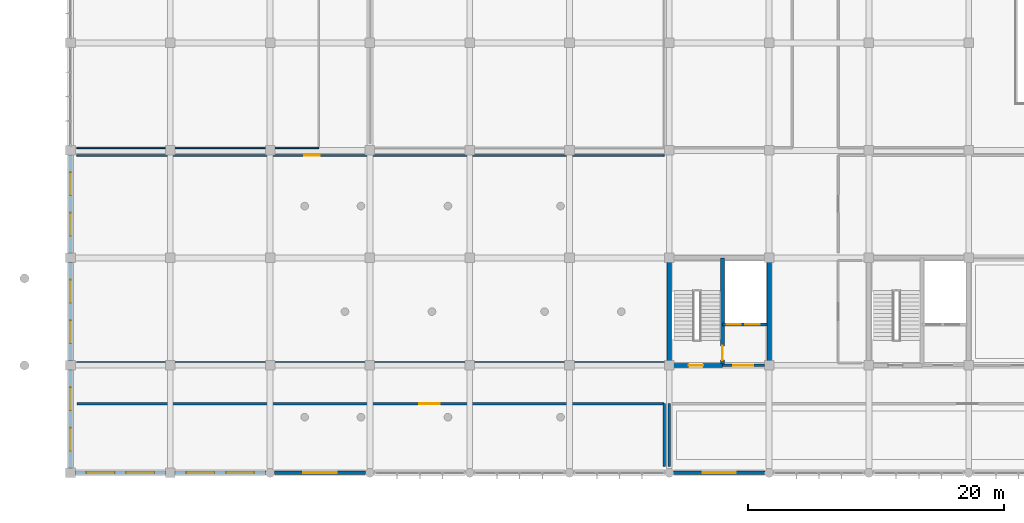
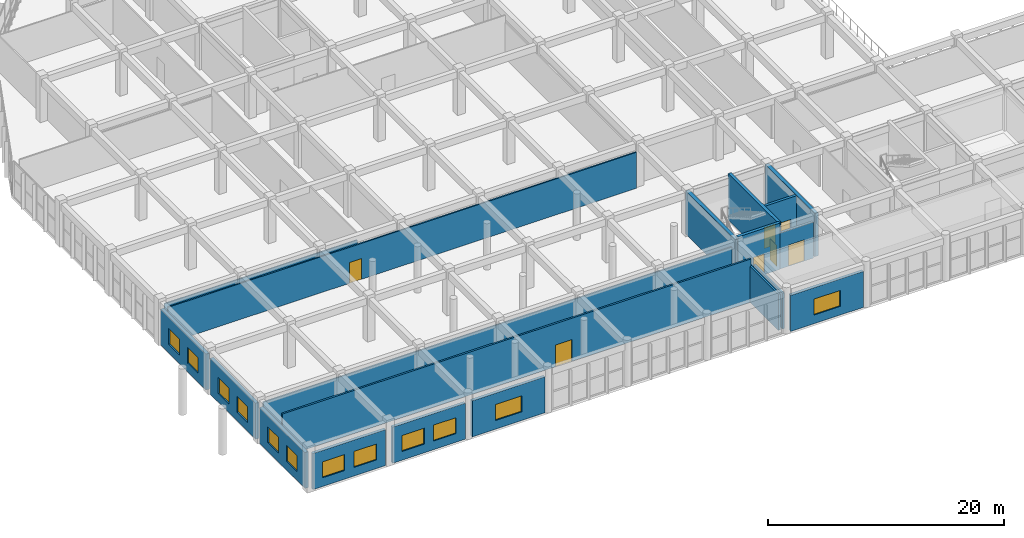
# One storey, part 150 of 167: 19 walls, 12 windows, 7 doors, 19 openings.
"""IFC4 building model written with IfcOpenShell, lengths in metres."""

from ifc_helpers import new_model, si_unit, direction, frame, frame_2d, origin, place, context, subcontext, project, spatial, rectangle, extrude, material, layer, layer_set, type_object, element, fill, save


model = new_model("IFC4")

# Units and contexts
model_context = context("Model", 3, precision=1e-05, world=origin(), true_north=direction((0.0, 1.0)))
body_context = subcontext(model_context, "Body", "Model", "MODEL_VIEW")
ifc_project = project(units=[si_unit("LENGTHUNIT", "METRE"), si_unit("AREAUNIT", "SQUARE_METRE"), si_unit("VOLUMEUNIT", "CUBIC_METRE"), si_unit("PLANEANGLEUNIT", "RADIAN"), si_unit("MASSUNIT", "GRAM", prefix="KILO")], contexts=[model_context])

# Site, building, storey
site_placement = place(None, origin())
site = spatial("IfcSite", under=ifc_project, at=site_placement, CompositionType="ELEMENT")
building_placement = place(site_placement, origin())
building = spatial("IfcBuilding", under=site, at=building_placement, Name="Zizhar Promenade General Hospital", CompositionType="ELEMENT")
storey_placement = place(building_placement, frame((0.0, 0.0, 9.60009765625)))
storey = spatial("IfcBuildingStorey", under=building, at=storey_placement, Name="L02", CompositionType="ELEMENT", Elevation=9.60009765625)

# Wall, openings, windows
ifc_material_1 = material(Name="Precast concrete C40/50", Category="concrete")
ifc_layer_1 = layer(ifc_material_1, 0.2900390625)
ifc_layer_set_1 = layer_set([ifc_layer_1], Name="Precast concrete C40/50")
wall_type_1 = type_object("IfcWallType", Name="EW-PC-290", PredefinedType="STANDARD", material=ifc_layer_set_1)
wall_1_placement = place(storey_placement, frame((7.4599609375, 0.0, 0.0), z_axis=(0.0, 0.0, 1.0), x_axis=(-1.0, 0.0, 0.0)))
wall_1 = element("IfcWall", 1, at=wall_1_placement, inside=storey, type_object=wall_type_1, Name="South-West Arm South Wall L02-1", PredefinedType="STANDARD", context=body_context, shape_type="SweptSolid", body=[
    extrude(rectangle(XDim=7.119873046875, YDim=0.2900390625, at=frame_2d((3.56005859375, 0.0))), origin(), (0.0, 0.0, 1.0), 3.72998046875),
])
opening_1_placement = place(wall_1_placement, frame((0.90673828125, 0.0, 0.89990234375)))
opening_1 = element("IfcOpeningElement", 2, at=opening_1_placement, cuts=wall_1, Name="Opening W-07", PredefinedType="OPENING", context=body_context, shape_type="SweptSolid", body=[
    extrude(rectangle(XDim=2.199951171875, YDim=1.64990234375, at=frame_2d((1.10009765625, 0.824951171875))), frame((0.0, 0.155029296875, 0.0), z_axis=(0.0, -1.0, 0.0), x_axis=(1.0, 0.0, 0.0)), (0.0, 0.0, 1.0), 0.31005859375),
])
opening_2_placement = place(wall_1_placement, frame((4.01318359375, 0.0, 0.89990234375)))
opening_2 = element("IfcOpeningElement", 3, at=opening_2_placement, cuts=wall_1, Name="Opening W-07", PredefinedType="OPENING", context=body_context, shape_type="SweptSolid", body=[
    extrude(rectangle(XDim=2.199951171875, YDim=1.64990234375, at=frame_2d((1.10009765625, 0.824951171875))), frame((0.0, 0.155029296875, 0.0), z_axis=(0.0, -1.0, 0.0), x_axis=(1.0, 0.0, 0.0)), (0.0, 0.0, 1.0), 0.31005859375),
])
ifc_material_2 = material(Name="Anodised aluminium 6063-T6 and low-E glass", Category="aluminium")
window_type_1 = type_object("IfcWindowType", Name="WIN-CLN-220x165", PartitioningType="DOUBLE_PANEL_VERTICAL", PredefinedType="WINDOW", material=ifc_material_2)
window_1_placement = place(opening_1_placement, origin())
window_1 = element("IfcWindow", 4, at=window_1_placement, inside=storey, type_object=window_type_1, Name="South-West Arm South Wall L02-1 Window 1", OverallHeight=1.64990234375, OverallWidth=2.199951171875, PartitioningType="SINGLE_PANEL", PredefinedType="WINDOW", context=body_context, shape_type="SweptSolid", body=[
    extrude(rectangle(XDim=2.199951171875, YDim=1.64990234375, at=frame_2d((1.10009765625, 0.824951171875))), frame((0.0, 0.030029296875, 0.0), z_axis=(0.0, -1.0, 0.0), x_axis=(1.0, 0.0, 0.0)), (0.0, 0.0, 1.0), 0.06005859375),
])
fill(opening_1, window_1)
window_2_placement = place(opening_2_placement, origin())
window_2 = element("IfcWindow", 5, at=window_2_placement, inside=storey, type_object=window_type_1, Name="South-West Arm South Wall L02-1 Window 2", OverallHeight=1.64990234375, OverallWidth=2.199951171875, PartitioningType="SINGLE_PANEL", PredefinedType="WINDOW", context=body_context, shape_type="SweptSolid", body=[
    extrude(rectangle(XDim=2.199951171875, YDim=1.64990234375, at=frame_2d((1.10009765625, 0.824951171875))), frame((0.0, 0.030029296875, 0.0), z_axis=(0.0, -1.0, 0.0), x_axis=(1.0, 0.0, 0.0)), (0.0, 0.0, 1.0), 0.06005859375),
])
fill(opening_2, window_2)

wall_2_placement = place(storey_placement, frame((15.260009765625, 0.0, 0.0), z_axis=(0.0, 0.0, 1.0), x_axis=(-1.0, 0.0, 0.0)))
wall_2 = element("IfcWall", 6, at=wall_2_placement, inside=storey, type_object=wall_type_1, Name="South-West Arm South Wall L02-2", PredefinedType="STANDARD", context=body_context, shape_type="SweptSolid", body=[
    extrude(rectangle(XDim=7.1201171875, YDim=0.2900390625, at=frame_2d((3.56005859375, 0.0))), origin(), (0.0, 0.0, 1.0), 3.72998046875),
])
opening_3_placement = place(wall_2_placement, frame((0.90673828125, 0.0, 0.89990234375)))
opening_3 = element("IfcOpeningElement", 7, at=opening_3_placement, cuts=wall_2, Name="Opening W-07", PredefinedType="OPENING", context=body_context, shape_type="SweptSolid", body=[
    extrude(rectangle(XDim=2.199951171875, YDim=1.64990234375, at=frame_2d((1.10009765625, 0.824951171875))), frame((0.0, 0.155029296875, 0.0), z_axis=(0.0, -1.0, 0.0), x_axis=(1.0, 0.0, 0.0)), (0.0, 0.0, 1.0), 0.31005859375),
])
opening_4_placement = place(wall_2_placement, frame((4.01318359375, 0.0, 0.89990234375)))
opening_4 = element("IfcOpeningElement", 8, at=opening_4_placement, cuts=wall_2, Name="Opening W-07", PredefinedType="OPENING", context=body_context, shape_type="SweptSolid", body=[
    extrude(rectangle(XDim=2.199951171875, YDim=1.64990234375, at=frame_2d((1.10009765625, 0.824951171875))), frame((0.0, 0.155029296875, 0.0), z_axis=(0.0, -1.0, 0.0), x_axis=(1.0, 0.0, 0.0)), (0.0, 0.0, 1.0), 0.31005859375),
])
window_3_placement = place(opening_3_placement, origin())
window_3 = element("IfcWindow", 9, at=window_3_placement, inside=storey, type_object=window_type_1, Name="South-West Arm South Wall L02-2 Window 1", OverallHeight=1.64990234375, OverallWidth=2.199951171875, PartitioningType="SINGLE_PANEL", PredefinedType="WINDOW", context=body_context, shape_type="SweptSolid", body=[
    extrude(rectangle(XDim=2.199951171875, YDim=1.64990234375, at=frame_2d((1.10009765625, 0.824951171875))), frame((0.0, 0.030029296875, 0.0), z_axis=(0.0, -1.0, 0.0), x_axis=(1.0, 0.0, 0.0)), (0.0, 0.0, 1.0), 0.06005859375),
])
fill(opening_3, window_3)
window_4_placement = place(opening_4_placement, origin())
window_4 = element("IfcWindow", 10, at=window_4_placement, inside=storey, type_object=window_type_1, Name="South-West Arm South Wall L02-2 Window 2", OverallHeight=1.64990234375, OverallWidth=2.199951171875, PartitioningType="SINGLE_PANEL", PredefinedType="WINDOW", context=body_context, shape_type="SweptSolid", body=[
    extrude(rectangle(XDim=2.199951171875, YDim=1.64990234375, at=frame_2d((1.10009765625, 0.824951171875))), frame((0.0, 0.030029296875, 0.0), z_axis=(0.0, -1.0, 0.0), x_axis=(1.0, 0.0, 0.0)), (0.0, 0.0, 1.0), 0.06005859375),
])
fill(opening_4, window_4)

# Wall, opening, window
wall_3_placement = place(storey_placement, frame((23.06005859375, 0.0, 0.0), z_axis=(0.0, 0.0, 1.0), x_axis=(-1.0, 0.0, 0.0)))
wall_3 = element("IfcWall", 11, at=wall_3_placement, inside=storey, type_object=wall_type_1, Name="Riverfront Facade Wall L02-1", PredefinedType="STANDARD", context=body_context, shape_type="SweptSolid", body=[
    extrude(rectangle(XDim=7.1201171875, YDim=0.2900390625, at=frame_2d((3.56005859375, 0.0))), origin(), (0.0, 0.0, 1.0), 3.72998046875),
])
opening_5_placement = place(wall_3_placement, frame((2.260009765625, 0.0, 0.89990234375)))
opening_5 = element("IfcOpeningElement", 12, at=opening_5_placement, cuts=wall_3, Name="Opening W-06", PredefinedType="OPENING", context=body_context, shape_type="SweptSolid", body=[
    extrude(rectangle(XDim=2.60009765625, YDim=1.64990234375, at=frame_2d((1.300048828125, 0.824951171875))), frame((0.0, 0.155029296875, 0.0), z_axis=(0.0, -1.0, 0.0), x_axis=(1.0, 0.0, 0.0)), (0.0, 0.0, 1.0), 0.31005859375),
])
ifc_material_3 = material(Name="Anodised aluminium 6063-T6 and low-E glass", Category="aluminium")
window_type_2 = type_object("IfcWindowType", Name="WIN-CLN-260x165", PartitioningType="TRIPLE_PANEL_VERTICAL", PredefinedType="WINDOW", material=ifc_material_3)
window_5_placement = place(opening_5_placement, origin())
window_5 = element("IfcWindow", 13, at=window_5_placement, inside=storey, type_object=window_type_2, Name="Riverfront Facade Wall L02-1 Window 1", OverallHeight=1.64990234375, OverallWidth=2.60009765625, PartitioningType="SINGLE_PANEL", PredefinedType="WINDOW", context=body_context, shape_type="SweptSolid", body=[
    extrude(rectangle(XDim=2.60009765625, YDim=1.64990234375, at=frame_2d((1.300048828125, 0.824951171875))), frame((0.0, 0.030029296875, 0.0), z_axis=(0.0, -1.0, 0.0), x_axis=(1.0, 0.0, 0.0)), (0.0, 0.0, 1.0), 0.06005859375),
])
fill(opening_5, window_5)

wall_4_placement = place(storey_placement, frame((54.260009765625, 0.0, 0.0), z_axis=(0.0, 0.0, 1.0), x_axis=(-1.0, 0.0, 0.0)))
wall_4 = element("IfcWall", 14, at=wall_4_placement, inside=storey, type_object=wall_type_1, Name="Riverfront Facade Wall L02-5", PredefinedType="STANDARD", context=body_context, shape_type="SweptSolid", body=[
    extrude(rectangle(XDim=7.1201171875, YDim=0.2900390625, at=frame_2d((3.56005859375, 0.0))), origin(), (0.0, 0.0, 1.0), 3.72998046875),
])
opening_6_placement = place(wall_4_placement, frame((2.260009765625, 0.0, 0.89990234375)))
opening_6 = element("IfcOpeningElement", 15, at=opening_6_placement, cuts=wall_4, Name="Opening W-06", PredefinedType="OPENING", context=body_context, shape_type="SweptSolid", body=[
    extrude(rectangle(XDim=2.60009765625, YDim=1.64990234375, at=frame_2d((1.300048828125, 0.824951171875))), frame((0.0, 0.155029296875, 0.0), z_axis=(0.0, -1.0, 0.0), x_axis=(1.0, 0.0, 0.0)), (0.0, 0.0, 1.0), 0.31005859375),
])
window_6_placement = place(opening_6_placement, origin())
window_6 = element("IfcWindow", 16, at=window_6_placement, inside=storey, type_object=window_type_2, Name="Riverfront Facade Wall L02-5 Window 1", OverallHeight=1.64990234375, OverallWidth=2.60009765625, PartitioningType="SINGLE_PANEL", PredefinedType="WINDOW", context=body_context, shape_type="SweptSolid", body=[
    extrude(rectangle(XDim=2.60009765625, YDim=1.64990234375, at=frame_2d((1.300048828125, 0.824951171875))), frame((0.0, 0.030029296875, 0.0), z_axis=(0.0, -1.0, 0.0), x_axis=(1.0, 0.0, 0.0)), (0.0, 0.0, 1.0), 0.06005859375),
])
fill(opening_6, window_6)

# Wall, openings, windows
ifc_material_4 = material(Name="Precast concrete C40/50", Category="concrete")
ifc_layer_2 = layer(ifc_material_4, 0.320068359375)
ifc_layer_set_2 = layer_set([ifc_layer_2], Name="Precast concrete C40/50")
wall_type_2 = type_object("IfcWallType", Name="EW-PC-320", PredefinedType="STANDARD", material=ifc_layer_set_2)
wall_5_placement = place(storey_placement, frame((0.0, 0.340087890625, 0.0), z_axis=(0.0, 0.0, 1.0), x_axis=(0.0, 1.0, 0.0)))
wall_5 = element("IfcWall", 17, at=wall_5_placement, inside=storey, type_object=wall_type_2, Name="South-West Arm West Wall L02-1", PredefinedType="STANDARD", context=body_context, shape_type="SweptSolid", body=[
    extrude(rectangle(XDim=7.719970703125, YDim=0.320068359375, at=frame_2d((3.85986328125, 0.0))), origin(), (0.0, 0.0, 1.0), 3.71484375),
])
opening_7_placement = place(wall_5_placement, frame((1.373291015625, 0.0, 0.89990234375)))
opening_7 = element("IfcOpeningElement", 18, at=opening_7_placement, cuts=wall_5, Name="Opening W-08", PredefinedType="OPENING", context=body_context, shape_type="SweptSolid", body=[
    extrude(rectangle(XDim=1.800048828125, YDim=1.64990234375, at=frame_2d((0.89990234375, 0.824951171875))), frame((0.0, 0.169921875, 0.0), z_axis=(0.0, -1.0, 0.0), x_axis=(1.0, 0.0, 0.0)), (0.0, 0.0, 1.0), 0.340087890625),
])
opening_8_placement = place(wall_5_placement, frame((4.546630859375, 0.0, 0.89990234375)))
opening_8 = element("IfcOpeningElement", 19, at=opening_8_placement, cuts=wall_5, Name="Opening W-08", PredefinedType="OPENING", context=body_context, shape_type="SweptSolid", body=[
    extrude(rectangle(XDim=1.800048828125, YDim=1.64990234375, at=frame_2d((0.89990234375, 0.824951171875))), frame((0.0, 0.169921875, 0.0), z_axis=(0.0, -1.0, 0.0), x_axis=(1.0, 0.0, 0.0)), (0.0, 0.0, 1.0), 0.340087890625),
])
ifc_material_5 = material(Name="Anodised aluminium 6063-T6 and low-E glass", Category="aluminium")
window_type_3 = type_object("IfcWindowType", Name="WIN-CLN-180x165", PartitioningType="DOUBLE_PANEL_VERTICAL", PredefinedType="WINDOW", material=ifc_material_5)
window_7_placement = place(opening_7_placement, origin())
window_7 = element("IfcWindow", 20, at=window_7_placement, inside=storey, type_object=window_type_3, Name="South-West Arm West Wall L02-1 Window 1", OverallHeight=1.64990234375, OverallWidth=1.800048828125, PartitioningType="SINGLE_PANEL", PredefinedType="WINDOW", context=body_context, shape_type="SweptSolid", body=[
    extrude(rectangle(XDim=1.800048828125, YDim=1.64990234375, at=frame_2d((0.89990234375, 0.824951171875))), frame((0.0, 0.030029296875, 0.0), z_axis=(0.0, -1.0, 0.0), x_axis=(1.0, 0.0, 0.0)), (0.0, 0.0, 1.0), 0.06005859375),
])
fill(opening_7, window_7)
window_8_placement = place(opening_8_placement, origin())
window_8 = element("IfcWindow", 21, at=window_8_placement, inside=storey, type_object=window_type_3, Name="South-West Arm West Wall L02-1 Window 2", OverallHeight=1.64990234375, OverallWidth=1.800048828125, PartitioningType="SINGLE_PANEL", PredefinedType="WINDOW", context=body_context, shape_type="SweptSolid", body=[
    extrude(rectangle(XDim=1.800048828125, YDim=1.64990234375, at=frame_2d((0.89990234375, 0.824951171875))), frame((0.0, 0.030029296875, 0.0), z_axis=(0.0, -1.0, 0.0), x_axis=(1.0, 0.0, 0.0)), (0.0, 0.0, 1.0), 0.06005859375),
])
fill(opening_8, window_8)

wall_6_placement = place(storey_placement, frame((0.0, 8.739990234375, 0.0), z_axis=(0.0, 0.0, 1.0), x_axis=(0.0, 1.0, 0.0)))
wall_6 = element("IfcWall", 22, at=wall_6_placement, inside=storey, type_object=wall_type_2, Name="South-West Arm West Wall L02-2", PredefinedType="STANDARD", context=body_context, shape_type="SweptSolid", body=[
    extrude(rectangle(XDim=7.719970703125, YDim=0.320068359375, at=frame_2d((3.85986328125, 0.0))), origin(), (0.0, 0.0, 1.0), 3.71484375),
])
opening_9_placement = place(wall_6_placement, frame((1.373291015625, 0.0, 0.89990234375)))
opening_9 = element("IfcOpeningElement", 23, at=opening_9_placement, cuts=wall_6, Name="Opening W-08", PredefinedType="OPENING", context=body_context, shape_type="SweptSolid", body=[
    extrude(rectangle(XDim=1.800048828125, YDim=1.64990234375, at=frame_2d((0.89990234375, 0.824951171875))), frame((0.0, 0.169921875, 0.0), z_axis=(0.0, -1.0, 0.0), x_axis=(1.0, 0.0, 0.0)), (0.0, 0.0, 1.0), 0.340087890625),
])
opening_10_placement = place(wall_6_placement, frame((4.546630859375, 0.0, 0.89990234375)))
opening_10 = element("IfcOpeningElement", 24, at=opening_10_placement, cuts=wall_6, Name="Opening W-08", PredefinedType="OPENING", context=body_context, shape_type="SweptSolid", body=[
    extrude(rectangle(XDim=1.800048828125, YDim=1.64990234375, at=frame_2d((0.89990234375, 0.824951171875))), frame((0.0, 0.169921875, 0.0), z_axis=(0.0, -1.0, 0.0), x_axis=(1.0, 0.0, 0.0)), (0.0, 0.0, 1.0), 0.340087890625),
])
window_9_placement = place(opening_9_placement, origin())
window_9 = element("IfcWindow", 25, at=window_9_placement, inside=storey, type_object=window_type_3, Name="South-West Arm West Wall L02-2 Window 1", OverallHeight=1.64990234375, OverallWidth=1.800048828125, PartitioningType="SINGLE_PANEL", PredefinedType="WINDOW", context=body_context, shape_type="SweptSolid", body=[
    extrude(rectangle(XDim=1.800048828125, YDim=1.64990234375, at=frame_2d((0.89990234375, 0.824951171875))), frame((0.0, 0.030029296875, 0.0), z_axis=(0.0, -1.0, 0.0), x_axis=(1.0, 0.0, 0.0)), (0.0, 0.0, 1.0), 0.06005859375),
])
fill(opening_9, window_9)
window_10_placement = place(opening_10_placement, origin())
window_10 = element("IfcWindow", 26, at=window_10_placement, inside=storey, type_object=window_type_3, Name="South-West Arm West Wall L02-2 Window 2", OverallHeight=1.64990234375, OverallWidth=1.800048828125, PartitioningType="SINGLE_PANEL", PredefinedType="WINDOW", context=body_context, shape_type="SweptSolid", body=[
    extrude(rectangle(XDim=1.800048828125, YDim=1.64990234375, at=frame_2d((0.89990234375, 0.824951171875))), frame((0.0, 0.030029296875, 0.0), z_axis=(0.0, -1.0, 0.0), x_axis=(1.0, 0.0, 0.0)), (0.0, 0.0, 1.0), 0.06005859375),
])
fill(opening_10, window_10)

wall_7_placement = place(storey_placement, frame((0.0, 17.139892578125, 0.0), z_axis=(0.0, 0.0, 1.0), x_axis=(0.0, 1.0, 0.0)))
wall_7 = element("IfcWall", 27, at=wall_7_placement, inside=storey, type_object=wall_type_2, Name="South-West Arm West Wall L02-3", PredefinedType="STANDARD", context=body_context, shape_type="SweptSolid", body=[
    extrude(rectangle(XDim=7.72021484375, YDim=0.320068359375, at=frame_2d((3.860107421875, 0.0))), origin(), (0.0, 0.0, 1.0), 3.71484375),
])
opening_11_placement = place(wall_7_placement, frame((1.373291015625, 0.0, 0.89990234375)))
opening_11 = element("IfcOpeningElement", 28, at=opening_11_placement, cuts=wall_7, Name="Opening W-08", PredefinedType="OPENING", context=body_context, shape_type="SweptSolid", body=[
    extrude(rectangle(XDim=1.800048828125, YDim=1.64990234375, at=frame_2d((0.89990234375, 0.824951171875))), frame((0.0, 0.169921875, 0.0), z_axis=(0.0, -1.0, 0.0), x_axis=(1.0, 0.0, 0.0)), (0.0, 0.0, 1.0), 0.340087890625),
])
opening_12_placement = place(wall_7_placement, frame((4.546630859375, 0.0, 0.89990234375)))
opening_12 = element("IfcOpeningElement", 29, at=opening_12_placement, cuts=wall_7, Name="Opening W-08", PredefinedType="OPENING", context=body_context, shape_type="SweptSolid", body=[
    extrude(rectangle(XDim=1.800048828125, YDim=1.64990234375, at=frame_2d((0.89990234375, 0.824951171875))), frame((0.0, 0.169921875, 0.0), z_axis=(0.0, -1.0, 0.0), x_axis=(1.0, 0.0, 0.0)), (0.0, 0.0, 1.0), 0.340087890625),
])
window_11_placement = place(opening_11_placement, origin())
window_11 = element("IfcWindow", 30, at=window_11_placement, inside=storey, type_object=window_type_3, Name="South-West Arm West Wall L02-3 Window 1", OverallHeight=1.64990234375, OverallWidth=1.800048828125, PartitioningType="SINGLE_PANEL", PredefinedType="WINDOW", context=body_context, shape_type="SweptSolid", body=[
    extrude(rectangle(XDim=1.800048828125, YDim=1.64990234375, at=frame_2d((0.89990234375, 0.824951171875))), frame((0.0, 0.030029296875, 0.0), z_axis=(0.0, -1.0, 0.0), x_axis=(1.0, 0.0, 0.0)), (0.0, 0.0, 1.0), 0.06005859375),
])
fill(opening_11, window_11)
window_12_placement = place(opening_12_placement, origin())
window_12 = element("IfcWindow", 31, at=window_12_placement, inside=storey, type_object=window_type_3, Name="South-West Arm West Wall L02-3 Window 2", OverallHeight=1.64990234375, OverallWidth=1.800048828125, PartitioningType="SINGLE_PANEL", PredefinedType="WINDOW", context=body_context, shape_type="SweptSolid", body=[
    extrude(rectangle(XDim=1.800048828125, YDim=1.64990234375, at=frame_2d((0.89990234375, 0.824951171875))), frame((0.0, 0.030029296875, 0.0), z_axis=(0.0, -1.0, 0.0), x_axis=(1.0, 0.0, 0.0)), (0.0, 0.0, 1.0), 0.06005859375),
])
fill(opening_12, window_12)

# Wall, opening, door
ifc_material_6 = material(Name="Acoustic double-stud clinical partition")
ifc_layer_3 = layer(ifc_material_6, 0.179931640625)
ifc_layer_set_3 = layer_set([ifc_layer_3], Name="Acoustic double-stud clinical partition")
wall_type_3 = type_object("IfcWallType", Name="IW-ICU-180", PredefinedType="PARTITIONING", material=ifc_layer_set_3)
wall_8_placement = place(storey_placement, frame((0.5, 5.39990234375, 0.0), z_axis=(0.0, 0.0, 1.0), x_axis=(1.0, 0.0, 0.0)))
wall_8 = element("IfcWall", 32, at=wall_8_placement, inside=storey, type_object=wall_type_3, Name="Adult Intensive Care Unit West N Partition", PredefinedType="PARTITIONING", context=body_context, shape_type="SweptSolid", body=[
    extrude(rectangle(XDim=45.89990234375, YDim=0.179931640625, at=frame_2d((22.949951171875, 0.0))), origin(), (0.0, 0.0, 1.0), 4.4599609375),
])
opening_13_placement = place(wall_8_placement, frame((26.739990234375, 0.0, 0.0)))
opening_13 = element("IfcOpeningElement", 33, at=opening_13_placement, cuts=wall_8, Name="Opening D-05", PredefinedType="OPENING", context=body_context, shape_type="SweptSolid", body=[
    extrude(rectangle(XDim=1.60009765625, YDim=2.25, at=frame_2d((0.800048828125, 1.125))), frame((0.0, 0.10009765625, 0.0), z_axis=(0.0, -1.0, 0.0), x_axis=(1.0, 0.0, 0.0)), (0.0, 0.0, 1.0), 0.199951171875),
])
ifc_material_7 = material(Name="Anodised aluminium and clinical glass", Category="aluminium")
door_type_1 = type_object("IfcDoorType", Name="DR-ICU-GLZ-160x225", OperationType="SLIDING_TO_RIGHT", PredefinedType="DOOR", material=ifc_material_7)
door_1_placement = place(opening_13_placement, origin())
door_1 = element("IfcDoor", 34, at=door_1_placement, inside=storey, type_object=door_type_1, Name="Adult Intensive Care Unit West Door", OperationType="SLIDING_TO_RIGHT", OverallHeight=2.25, OverallWidth=1.60009765625, PredefinedType="DOOR", context=body_context, shape_type="SweptSolid", body=[
    extrude(rectangle(XDim=1.60009765625, YDim=2.25, at=frame_2d((0.800048828125, 1.125))), frame((0.0, 0.02490234375, 0.0), z_axis=(0.0, -1.0, 0.0), x_axis=(1.0, 0.0, 0.0)), (0.0, 0.0, 1.0), 0.050048828125),
])
fill(opening_13, door_1)

# Walls
wall_9_placement = place(storey_placement, frame((46.39990234375, 0.5, 0.0), z_axis=(0.0, 0.0, 1.0), x_axis=(0.0, 1.0, 0.0)))
element("IfcWall", 35, at=wall_9_placement, inside=storey, type_object=wall_type_3, Name="Adult Intensive Care Unit West E Partition", PredefinedType="PARTITIONING", context=body_context, shape_type="SweptSolid", body=[
    extrude(rectangle(XDim=4.89990234375, YDim=0.179931640625, at=frame_2d((2.449951171875, 0.0))), origin(), (0.0, 0.0, 1.0), 3.72998046875),
])
wall_10_placement = place(storey_placement, frame((46.800048828125, 0.5, 0.0), z_axis=(0.0, 0.0, 1.0), x_axis=(0.0, 1.0, 0.0)))
element("IfcWall", 36, at=wall_10_placement, inside=storey, type_object=wall_type_3, Name="Adult Intensive Care Unit East W Partition", PredefinedType="PARTITIONING", context=body_context, shape_type="SweptSolid", body=[
    extrude(rectangle(XDim=4.89990234375, YDim=0.179931640625, at=frame_2d((2.449951171875, 0.0))), origin(), (0.0, 0.0, 1.0), 3.71484375),
])
ifc_material_8 = material(Name="Chemical-resistant laboratory partition")
ifc_layer_4 = layer(ifc_material_8, 0.135009765625)
ifc_layer_set_4 = layer_set([ifc_layer_4], Name="Chemical-resistant laboratory partition")
wall_type_4 = type_object("IfcWallType", Name="IW-LAB-135", PredefinedType="PARTITIONING", material=ifc_layer_set_4)
wall_11_placement = place(storey_placement, frame((0.5, 8.60009765625, 0.0), z_axis=(0.0, 0.0, 1.0), x_axis=(1.0, 0.0, 0.0)))
element("IfcWall", 37, at=wall_11_placement, inside=storey, type_object=wall_type_4, Name="Blood Bank and Histopathology Laboratory S Partition", PredefinedType="PARTITIONING", context=body_context, shape_type="SweptSolid", body=[
    extrude(rectangle(XDim=45.89990234375, YDim=0.135009765625, at=frame_2d((22.949951171875, 0.0))), origin(), (0.0, 0.0, 1.0), 3.72998046875),
])

# Wall, opening, door
wall_12_placement = place(storey_placement, frame((0.5, 24.800048828125, 0.0), z_axis=(0.0, 0.0, 1.0), x_axis=(1.0, 0.0, 0.0)))
wall_12 = element("IfcWall", 38, at=wall_12_placement, inside=storey, type_object=wall_type_4, Name="Blood Bank and Histopathology Laboratory N Partition", PredefinedType="PARTITIONING", context=body_context, shape_type="SweptSolid", body=[
    extrude(rectangle(XDim=45.89990234375, YDim=0.135009765625, at=frame_2d((22.949951171875, 0.0))), origin(), (0.0, 0.0, 1.0), 3.72998046875),
])
opening_14_placement = place(wall_12_placement, frame((17.760009765625, 0.0, 0.0)))
opening_14 = element("IfcOpeningElement", 39, at=opening_14_placement, cuts=wall_12, Name="Opening D-16", PredefinedType="OPENING", context=body_context, shape_type="SweptSolid", body=[
    extrude(rectangle(XDim=1.199951171875, YDim=2.14990234375, at=frame_2d((0.60009765625, 1.074951171875))), frame((0.0, 0.07763671875, 0.0), z_axis=(0.0, -1.0, 0.0), x_axis=(1.0, 0.0, 0.0)), (0.0, 0.0, 1.0), 0.155029296875),
])
ifc_material_9 = material(Name="Fire-rated timber laboratory leaf", Category="wood")
door_type_2 = type_object("IfcDoorType", Name="DR-LAB-120x215", OperationType="NOTDEFINED", PredefinedType="DOOR", material=ifc_material_9)
door_2_placement = place(opening_14_placement, origin())
door_2 = element("IfcDoor", 40, at=door_2_placement, inside=storey, type_object=door_type_2, Name="Blood Bank and Histopathology Laboratory Door", OperationType="SINGLE_SWING_RIGHT", OverallHeight=2.14990234375, OverallWidth=1.199951171875, PredefinedType="DOOR", context=body_context, shape_type="SweptSolid", body=[
    extrude(rectangle(XDim=1.199951171875, YDim=2.14990234375, at=frame_2d((0.60009765625, 1.074951171875))), frame((0.0, 0.02490234375, 0.0), z_axis=(0.0, -1.0, 0.0), x_axis=(1.0, 0.0, 0.0)), (0.0, 0.0, 1.0), 0.050048828125),
])
fill(opening_14, door_2)

ifc_material_10 = material(Name="Concrete C35/45", Category="concrete")
ifc_layer_5 = layer(ifc_material_10, 0.215087890625)
ifc_layer_set_5 = layer_set([ifc_layer_5], Name="Concrete C35/45")
wall_type_5 = type_object("IfcWallType", Name="IW-LOBBY-215", PredefinedType="STANDARD", material=ifc_layer_set_5)
wall_13_placement = place(storey_placement, frame((50.949951171875, 8.39990234375, 0.0), z_axis=(0.0, 0.0, 1.0), x_axis=(1.0, 0.0, 0.0)))
wall_13 = element("IfcWall", 41, at=wall_13_placement, inside=storey, type_object=wall_type_5, Name="Core C2 Lift Lobby South Fire Wall (L02)", PredefinedType="STANDARD", context=body_context, shape_type="SweptSolid", body=[
    extrude(rectangle(XDim=3.2900390625, YDim=0.215087890625, at=frame_2d((1.64501953125, 0.0))), origin(), (0.0, 0.0, 1.0), 3.72998046875),
])
opening_15_placement = place(wall_13_placement, frame((0.864990234375, 0.0, 0.0)))
opening_15 = element("IfcOpeningElement", 42, at=opening_15_placement, cuts=wall_13, Name="Opening D-22", PredefinedType="OPENING", context=body_context, shape_type="SweptSolid", body=[
    extrude(rectangle(XDim=1.56005859375, YDim=2.199951171875, at=frame_2d((0.780029296875, 1.10009765625))), frame((0.0, 0.11767578125, 0.0), z_axis=(0.0, -1.0, 0.0), x_axis=(1.0, 0.0, 0.0)), (0.0, 0.0, 1.0), 0.235107421875),
])
ifc_material_11 = material(Name="Steel S355 firefighting lobby pair", Category="steel")
door_type_3 = type_object("IfcDoorType", Name="DR-LOBBY-FF-156x220", OperationType="DOUBLE_DOOR_SINGLE_SWING", PredefinedType="DOOR", material=ifc_material_11)
door_3_placement = place(opening_15_placement, origin())
door_3 = element("IfcDoor", 43, at=door_3_placement, inside=storey, type_object=door_type_3, Name="Core C2 Firefighting Lift Lobby Door (L02)", OperationType="DOUBLE_DOOR_SINGLE_SWING", OverallHeight=2.199951171875, OverallWidth=1.56005859375, PredefinedType="DOOR", context=body_context, shape_type="SweptSolid", body=[
    extrude(rectangle(XDim=1.56005859375, YDim=2.199951171875, at=frame_2d((0.780029296875, 1.10009765625))), frame((0.0, 0.02490234375, 0.0), z_axis=(0.0, -1.0, 0.0), x_axis=(1.0, 0.0, 0.0)), (0.0, 0.0, 1.0), 0.050048828125),
])
fill(opening_15, door_3)

# Wall, openings, doors
ifc_material_12 = material(Name="Concrete C35/45", Category="concrete")
ifc_layer_6 = layer(ifc_material_12, 0.25)
ifc_layer_set_6 = layer_set([ifc_layer_6], Name="Concrete C35/45")
wall_type_6 = type_object("IfcWallType", Name="IW-SHAFT-250", PredefinedType="STANDARD", material=ifc_layer_set_6)
wall_14_placement = place(storey_placement, frame((50.949951171875, 11.60009765625, 0.0), z_axis=(0.0, 0.0, 1.0), x_axis=(1.0, 0.0, 0.0)))
wall_14 = element("IfcWall", 44, at=wall_14_placement, inside=storey, type_object=wall_type_6, Name="Core C2 Lift Shaft Landing Wall (L02)", PredefinedType="STANDARD", context=body_context, shape_type="SweptSolid", body=[
    extrude(rectangle(XDim=3.5, YDim=0.25, at=frame_2d((1.75, 0.0))), origin(), (0.0, 0.0, 1.0), 4.4599609375),
])
opening_16_placement = place(wall_14_placement, frame((0.35009765625, 0.0, 0.0)))
opening_16 = element("IfcOpeningElement", 45, at=opening_16_placement, cuts=wall_14, Name="Opening LD-11", PredefinedType="OPENING", context=body_context, shape_type="SweptSolid", body=[
    extrude(rectangle(XDim=1.10009765625, YDim=2.199951171875, at=frame_2d((0.550048828125, 1.10009765625))), frame((0.0, 0.135009765625, 0.0), z_axis=(0.0, -1.0, 0.0), x_axis=(1.0, 0.0, 0.0)), (0.0, 0.0, 1.0), 0.27001953125),
])
opening_17_placement = place(wall_14_placement, frame((1.800048828125, 0.0, 0.0)))
opening_17 = element("IfcOpeningElement", 46, at=opening_17_placement, cuts=wall_14, Name="Opening LD-11", PredefinedType="OPENING", context=body_context, shape_type="SweptSolid", body=[
    extrude(rectangle(XDim=1.10009765625, YDim=2.199951171875, at=frame_2d((0.550048828125, 1.10009765625))), frame((0.0, 0.135009765625, 0.0), z_axis=(0.0, -1.0, 0.0), x_axis=(1.0, 0.0, 0.0)), (0.0, 0.0, 1.0), 0.27001953125),
])
ifc_material_13 = material(Name="Stainless Steel S355 passenger lift landing door", Category="steel")
door_type_4 = type_object("IfcDoorType", Name="DR-LIFT-LD11", OperationType="SLIDING_TO_LEFT", PredefinedType="DOOR", material=ifc_material_13)
door_4_placement = place(opening_16_placement, origin())
door_4 = element("IfcDoor", 47, at=door_4_placement, inside=storey, type_object=door_type_4, Name="Lift LF-01 Sliding Landing Door (L02)", OperationType="SLIDING_TO_LEFT", OverallHeight=2.199951171875, OverallWidth=1.10009765625, PredefinedType="DOOR", context=body_context, shape_type="SweptSolid", body=[
    extrude(rectangle(XDim=1.10009765625, YDim=2.199951171875, at=frame_2d((0.550048828125, 1.10009765625))), frame((0.0, 0.02490234375, 0.0), z_axis=(0.0, -1.0, 0.0), x_axis=(1.0, 0.0, 0.0)), (0.0, 0.0, 1.0), 0.050048828125),
])
fill(opening_16, door_4)
door_5_placement = place(opening_17_placement, origin())
door_5 = element("IfcDoor", 48, at=door_5_placement, inside=storey, type_object=door_type_4, Name="Lift LB-01 Sliding Landing Door (L02)", OperationType="SLIDING_TO_LEFT", OverallHeight=2.199951171875, OverallWidth=1.10009765625, PredefinedType="DOOR", context=body_context, shape_type="SweptSolid", body=[
    extrude(rectangle(XDim=1.10009765625, YDim=2.199951171875, at=frame_2d((0.550048828125, 1.10009765625))), frame((0.0, 0.02490234375, 0.0), z_axis=(0.0, -1.0, 0.0), x_axis=(1.0, 0.0, 0.0)), (0.0, 0.0, 1.0), 0.050048828125),
])
fill(opening_17, door_5)

# Wall
ifc_material_14 = material(Name="Clean utility gypsum partition")
ifc_layer_7 = layer(ifc_material_14, 0.114990234375)
ifc_layer_set_7 = layer_set([ifc_layer_7], Name="Clean utility gypsum partition")
wall_type_7 = type_object("IfcWallType", Name="IW-STR-115", PredefinedType="PARTITIONING", material=ifc_layer_set_7)
wall_15_placement = place(storey_placement, frame((0.5, 25.39990234375, 0.0), z_axis=(0.0, 0.0, 1.0), x_axis=(1.0, 0.0, 0.0)))
element("IfcWall", 49, at=wall_15_placement, inside=storey, type_object=wall_type_7, Name="Cardiology Non-Invasive Diagnostics Suite S Partition", PredefinedType="PARTITIONING", context=body_context, shape_type="SweptSolid", body=[
    extrude(rectangle(XDim=18.89990234375, YDim=0.114990234375, at=frame_2d((9.449951171875, 0.0))), origin(), (0.0, 0.0, 1.0), 3.72998046875),
])

# Wall, opening, door
ifc_material_15 = material(Name="Concrete C40/50", Category="concrete")
ifc_layer_8 = layer(ifc_material_15, 0.300048828125)
ifc_layer_set_8 = layer_set([ifc_layer_8], Name="Concrete C40/50")
wall_type_8 = type_object("IfcWallType", Name="WL-CORE-300", PredefinedType="SHEAR", material=ifc_layer_set_8)
wall_16_placement = place(storey_placement, frame((46.800048828125, 8.39990234375, 0.0), z_axis=(0.0, 0.0, 1.0), x_axis=(1.0, 0.0, 0.0)))
wall_16 = element("IfcWall", 50, at=wall_16_placement, inside=storey, type_object=wall_type_8, Name="Core C2 Stair South Fire Wall (L02)", PredefinedType="SHEAR", context=body_context, shape_type="SweptSolid", body=[
    extrude(rectangle(XDim=4.14990234375, YDim=0.300048828125, at=frame_2d((2.074951171875, 0.0))), origin(), (0.0, 0.0, 1.0), 4.7998046875),
])
opening_18_placement = place(wall_16_placement, frame((1.514892578125, 0.0, 0.0)))
opening_18 = element("IfcOpeningElement", 51, at=opening_18_placement, cuts=wall_16, Name="Opening D-21", PredefinedType="OPENING", context=body_context, shape_type="SweptSolid", body=[
    extrude(rectangle(XDim=1.1201171875, YDim=2.14990234375, at=frame_2d((0.56005859375, 1.074951171875))), frame((0.0, 0.16015625, 0.0), z_axis=(0.0, -1.0, 0.0), x_axis=(1.0, 0.0, 0.0)), (0.0, 0.0, 1.0), 0.320068359375),
])
ifc_material_16 = material(Name="Steel S355 protected stair door", Category="steel")
door_type_5 = type_object("IfcDoorType", Name="DR-STAIR-112x215", OperationType="NOTDEFINED", PredefinedType="DOOR", material=ifc_material_16)
door_6_placement = place(opening_18_placement, origin())
door_6 = element("IfcDoor", 52, at=door_6_placement, inside=storey, type_object=door_type_5, Name="Exit Stair ST-02 Door (L02)", OperationType="SINGLE_SWING_LEFT", OverallHeight=2.14990234375, OverallWidth=1.1201171875, PredefinedType="DOOR", context=body_context, shape_type="SweptSolid", body=[
    extrude(rectangle(XDim=1.1201171875, YDim=2.14990234375, at=frame_2d((0.56005859375, 1.074951171875))), frame((0.0, 0.02490234375, 0.0), z_axis=(0.0, -1.0, 0.0), x_axis=(1.0, 0.0, 0.0)), (0.0, 0.0, 1.0), 0.050048828125),
])
fill(opening_18, door_6)

wall_17_placement = place(storey_placement, frame((50.949951171875, 8.39990234375, 0.0), z_axis=(0.0, 0.0, 1.0), x_axis=(0.0, 1.0, 0.0)))
wall_17 = element("IfcWall", 53, at=wall_17_placement, inside=storey, type_object=wall_type_8, Name="Core C2 Stair-Shaft Separation Wall (L02)", PredefinedType="SHEAR", context=body_context, shape_type="SweptSolid", body=[
    extrude(rectangle(XDim=8.400146484375, YDim=0.300048828125, at=frame_2d((4.2001953125, 0.0))), origin(), (0.0, 0.0, 1.0), 4.7998046875),
])
opening_19_placement = place(wall_17_placement, frame((0.39990234375, 0.0, 0.0)))
opening_19 = element("IfcOpeningElement", 54, at=opening_19_placement, cuts=wall_17, Name="Opening D-21", PredefinedType="OPENING", context=body_context, shape_type="SweptSolid", body=[
    extrude(rectangle(XDim=1.1201171875, YDim=2.14990234375, at=frame_2d((0.56005859375, 1.074951171875))), frame((0.0, 0.16015625, 0.0), z_axis=(0.0, -1.0, 0.0), x_axis=(1.0, 0.0, 0.0)), (0.0, 0.0, 1.0), 0.320068359375),
])
door_7_placement = place(opening_19_placement, origin())
door_7 = element("IfcDoor", 55, at=door_7_placement, inside=storey, type_object=door_type_5, Name="Firefighting Lobby to Stair ST-02 Door (L02)", OperationType="SINGLE_SWING_RIGHT", OverallHeight=2.14990234375, OverallWidth=1.1201171875, PredefinedType="DOOR", context=body_context, shape_type="SweptSolid", body=[
    extrude(rectangle(XDim=1.1201171875, YDim=2.14990234375, at=frame_2d((0.56005859375, 1.074951171875))), frame((0.0, 0.02490234375, 0.0), z_axis=(0.0, -1.0, 0.0), x_axis=(1.0, 0.0, 0.0)), (0.0, 0.0, 1.0), 0.050048828125),
])
fill(opening_19, door_7)

# Walls
ifc_material_17 = material(Name="Concrete C40/50", Category="concrete")
ifc_layer_9 = layer(ifc_material_17, 0.35009765625)
ifc_layer_set_9 = layer_set([ifc_layer_9], Name="Concrete C40/50")
wall_type_9 = type_object("IfcWallType", Name="WL-CORE-350", PredefinedType="SHEAR", material=ifc_layer_set_9)
for number, where, z_axis, x_axis, name in (
    (56, (46.800048828125, 8.39990234375, 0.0), (0.0, 0.0, 1.0), (0.0, 1.0, 0.0), "Core C2 West Shear Wall L02"),
    (57, (54.60009765625, 8.39990234375, 0.0), (0.0, 0.0, 1.0), (0.0, 1.0, 0.0), "Core C2 East Shear Wall L02"),
):
    element("IfcWall", number, at=place(storey_placement, frame(where, z_axis=z_axis, x_axis=x_axis)), inside=storey, type_object=wall_type_9, Name=name, PredefinedType="SHEAR", context=body_context, shape_type="SweptSolid", body=[
        extrude(rectangle(XDim=8.400146484375, YDim=0.35009765625, at=frame_2d((4.2001953125, 0.0))), origin(), (0.0, 0.0, 1.0), 4.47998046875),
    ])

save(model, "model.ifc")
